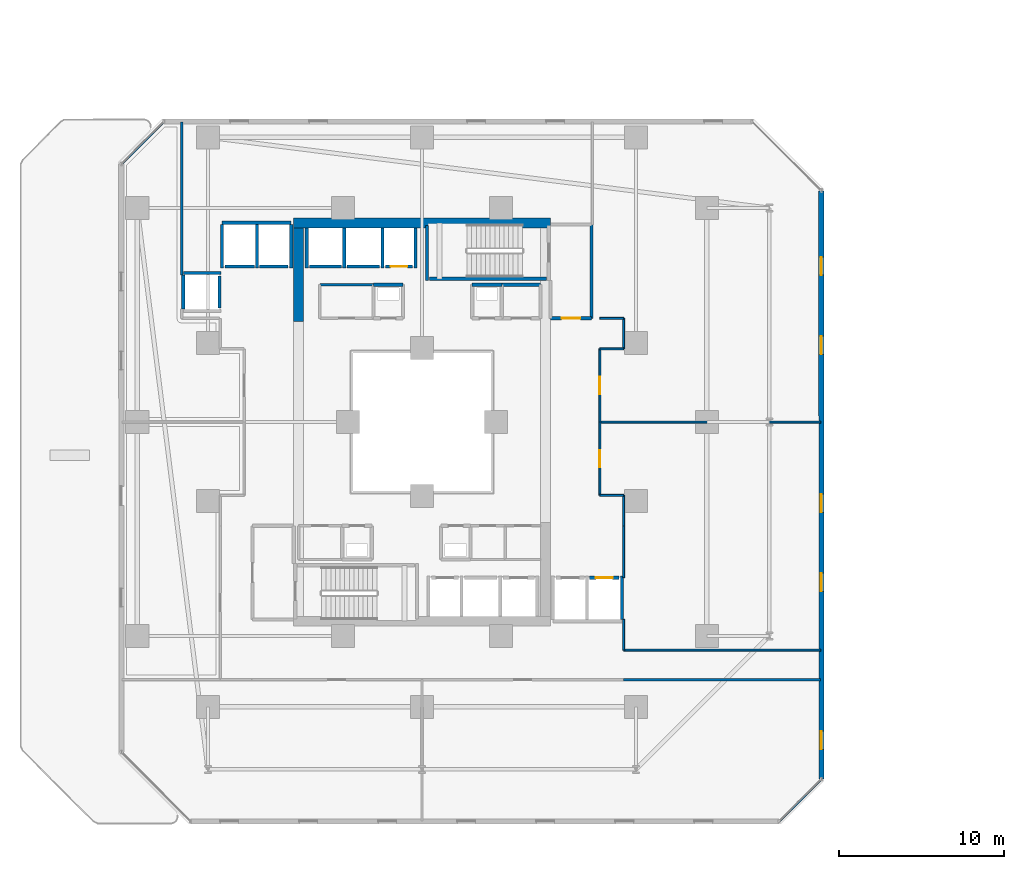
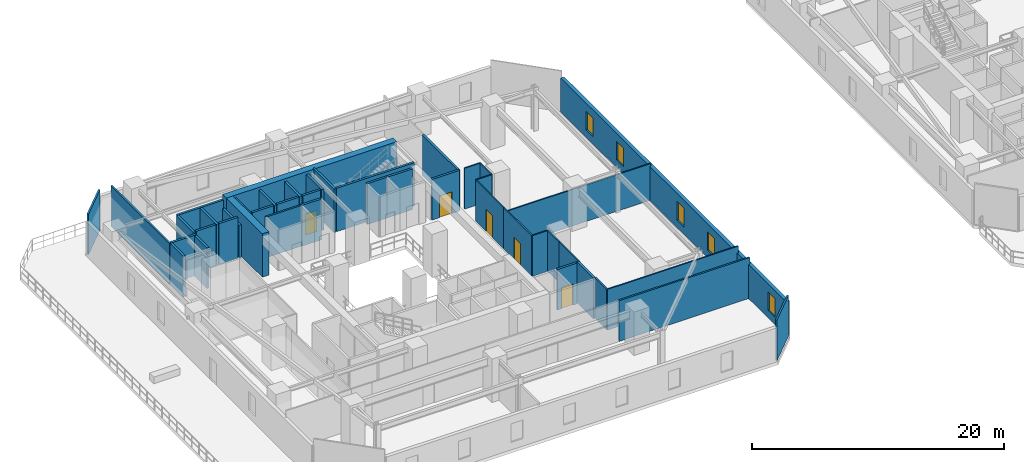
# One storey, part 21 of 33: 44 walls, 5 doors, 5 windows, 10 openings.
"""IFC4 building model written with IfcOpenShell, lengths in metres."""

from ifc_helpers import new_model, si_unit, direction, frame, frame_2d, origin, place, context, subcontext, project, spatial, rectangle, extrude, material, layer, layer_set, type_object, element, fill, save


model = new_model("IFC4")

# Units and contexts
model_context = context("Model", 3, precision=1e-05, world=origin(), true_north=direction((0.0, 1.0)))
body_context = subcontext(model_context, "Body", "Model", "MODEL_VIEW")
ifc_project = project(units=[si_unit("LENGTHUNIT", "METRE"), si_unit("AREAUNIT", "SQUARE_METRE"), si_unit("VOLUMEUNIT", "CUBIC_METRE"), si_unit("PLANEANGLEUNIT", "RADIAN"), si_unit("MASSUNIT", "GRAM", prefix="KILO")], contexts=[model_context])

# Site, building, storey
site_placement = place(None, origin())
site = spatial("IfcSite", under=ifc_project, at=site_placement, CompositionType="ELEMENT")
building_placement = place(site_placement, origin())
building = spatial("IfcBuilding", under=site, at=building_placement, Name="Thornwick Lancets Civic Towers", CompositionType="ELEMENT")
storey_placement = place(building_placement, frame((0.0, 0.0, 49.5)))
storey = spatial("IfcBuildingStorey", under=building, at=storey_placement, Name="L12", CompositionType="ELEMENT", Elevation=49.5)

# Wall, opening, door
ifc_material_1 = material(Name="Concrete blockwork C40/50", Category="masonry")
ifc_layer_1 = layer(ifc_material_1, 0.199951171875, Name="Concrete blockwork C40/50")
ifc_layer_set_1 = layer_set([ifc_layer_1], Name="Concrete blockwork C40/50")
wall_type_1 = type_object("IfcWallType", Name="WALL_COMP_200", PredefinedType="STANDARD", material=ifc_layer_set_1)
wall_1_placement = place(storey_placement, frame((35.679931640625, 17.550048828125, 0.0), z_axis=(0.0, 0.0, 1.0), x_axis=(1.0, 0.0, 0.0)))
wall_1 = element("IfcWall", 1, at=wall_1_placement, inside=storey, type_object=wall_type_1, Name="L12 Hoistway Front Wall PL-AL3", PredefinedType="STANDARD", context=body_context, shape_type="SweptSolid", body=[
    extrude(rectangle(XDim=1.7900390625, YDim=0.199951171875, at=frame_2d((0.89501953125, 0.0))), origin(), (0.0, 0.0, 1.0), 3.93994140625),
])
opening_1_placement = place(wall_1_placement, frame((0.385009765625, 0.0, 0.0)))
opening_1 = element("IfcOpeningElement", 2, at=opening_1_placement, cuts=wall_1, Name="Opening LD-PL-AL3", PredefinedType="OPENING", context=body_context, shape_type="SweptSolid", body=[
    extrude(rectangle(XDim=1.02001953125, YDim=2.06005859375, at=frame_2d((0.510009765625, 1.030029296875))), frame((0.0, 0.10986328125, 0.0), z_axis=(0.0, -1.0, 0.0), x_axis=(1.0, 0.0, 0.0)), (0.0, 0.0, 1.0), 0.219970703125),
])
ifc_material_2 = material(Name="Brushed bronze stainless steel", Category="steel")
door_type_1 = type_object("IfcDoorType", Name="DOOR_LIFT_SLIDE", OperationType="SLIDING_TO_LEFT", PredefinedType="DOOR", material=ifc_material_2)
door_1_placement = place(opening_1_placement, origin())
door_1 = element("IfcDoor", 3, at=door_1_placement, inside=storey, type_object=door_type_1, Name="L12 Sliding Lift Landing Door LD-PL-AL3", OperationType="SLIDING_TO_LEFT", OverallHeight=2.06005859375, OverallWidth=1.02001953125, PredefinedType="DOOR", context=body_context, shape_type="SweptSolid", body=[
    extrude(rectangle(XDim=1.02001953125, YDim=2.06005859375, at=frame_2d((0.510009765625, 1.030029296875))), frame((0.0, 0.02490234375, 0.0), z_axis=(0.0, -1.0, 0.0), x_axis=(1.0, 0.0, 0.0)), (0.0, 0.0, 1.0), 0.050048828125),
])
fill(opening_1, door_1)

wall_2_placement = place(storey_placement, frame((24.919921875, 36.449951171875, 0.0), z_axis=(0.0, 0.0, 1.0), x_axis=(-1.0, 0.0, 0.0)))
wall_2 = element("IfcWall", 4, at=wall_2_placement, inside=storey, type_object=wall_type_1, Name="L12 Hoistway Front Wall FL-A2", PredefinedType="STANDARD", context=body_context, shape_type="SweptSolid", body=[
    extrude(rectangle(XDim=1.639892578125, YDim=0.199951171875, at=frame_2d((0.81982421875, 0.0))), origin(), (0.0, 0.0, 1.0), 3.93994140625),
])
opening_2_placement = place(wall_2_placement, frame((0.31005859375, 0.0, 0.0)))
opening_2 = element("IfcOpeningElement", 5, at=opening_2_placement, cuts=wall_2, Name="Opening LD-FL-A2", PredefinedType="OPENING", context=body_context, shape_type="SweptSolid", body=[
    extrude(rectangle(XDim=1.02001953125, YDim=2.06005859375, at=frame_2d((0.510009765625, 1.030029296875))), frame((0.0, 0.10986328125, 0.0), z_axis=(0.0, -1.0, 0.0), x_axis=(1.0, 0.0, 0.0)), (0.0, 0.0, 1.0), 0.219970703125),
])
door_2_placement = place(opening_2_placement, origin())
door_2 = element("IfcDoor", 6, at=door_2_placement, inside=storey, type_object=door_type_1, Name="L12 Sliding Lift Landing Door LD-FL-A2", OperationType="SLIDING_TO_LEFT", OverallHeight=2.06005859375, OverallWidth=1.02001953125, PredefinedType="DOOR", context=body_context, shape_type="SweptSolid", body=[
    extrude(rectangle(XDim=1.02001953125, YDim=2.06005859375, at=frame_2d((0.510009765625, 1.030029296875))), frame((0.0, 0.02490234375, 0.0), z_axis=(0.0, -1.0, 0.0), x_axis=(1.0, 0.0, 0.0)), (0.0, 0.0, 1.0), 0.050048828125),
])
fill(opening_2, door_2)

# Walls
wall_3_placement = place(storey_placement, frame((22.919921875, 36.449951171875, 0.0), z_axis=(0.0, 0.0, 1.0), x_axis=(-1.0, 0.0, 0.0)))
element("IfcWall", 7, at=wall_3_placement, inside=storey, type_object=wall_type_1, Name="L12 Hoistway Front Wall PL-AH2", PredefinedType="STANDARD", context=body_context, shape_type="SweptSolid", body=[
    extrude(rectangle(XDim=1.989990234375, YDim=0.199951171875, at=frame_2d((0.9951171875, 0.0))), origin(), (0.0, 0.0, 1.0), 3.93994140625),
])
wall_4_placement = place(storey_placement, frame((20.6201171875, 36.449951171875, 0.0), z_axis=(0.0, 0.0, 1.0), x_axis=(-1.0, 0.0, 0.0)))
element("IfcWall", 8, at=wall_4_placement, inside=storey, type_object=wall_type_1, Name="L12 Hoistway Front Wall PL-AH3", PredefinedType="STANDARD", context=body_context, shape_type="SweptSolid", body=[
    extrude(rectangle(XDim=1.940185546875, YDim=0.199951171875, at=frame_2d((0.97021484375, 0.0))), origin(), (0.0, 0.0, 1.0), 3.93994140625),
])
wall_5_placement = place(storey_placement, frame((17.3701171875, 36.449951171875, 0.0), z_axis=(0.0, 0.0, 1.0), x_axis=(-1.0, 0.0, 0.0)))
element("IfcWall", 9, at=wall_5_placement, inside=storey, type_object=wall_type_1, Name="L12 Hoistway Front Wall PL-AM1", PredefinedType="STANDARD", context=body_context, shape_type="SweptSolid", body=[
    extrude(rectangle(XDim=1.740234375, YDim=0.199951171875, at=frame_2d((0.8701171875, 0.0))), origin(), (0.0, 0.0, 1.0), 3.93994140625),
])
wall_6_placement = place(storey_placement, frame((15.320068359375, 36.449951171875, 0.0), z_axis=(0.0, 0.0, 1.0), x_axis=(-1.0, 0.0, 0.0)))
element("IfcWall", 10, at=wall_6_placement, inside=storey, type_object=wall_type_1, Name="L12 Hoistway Front Wall PL-AM2", PredefinedType="STANDARD", context=body_context, shape_type="SweptSolid", body=[
    extrude(rectangle(XDim=1.7900390625, YDim=0.199951171875, at=frame_2d((0.89501953125, 0.0))), origin(), (0.0, 0.0, 1.0), 3.93994140625),
])
wall_7_placement = place(storey_placement, frame((13.199951171875, 33.929931640625, 0.0), z_axis=(0.0, 0.0, 1.0), x_axis=(0.0, 1.0, 0.0)))
element("IfcWall", 11, at=wall_7_placement, inside=storey, type_object=wall_type_1, Name="L12 Hoistway Front Wall PL-AM3", PredefinedType="STANDARD", context=body_context, shape_type="SweptSolid", body=[
    extrude(rectangle(XDim=1.940185546875, YDim=0.199951171875, at=frame_2d((0.97021484375, 0.0))), origin(), (0.0, 0.0, 1.0), 3.93994140625),
])
wall_8_placement = place(storey_placement, frame((37.64990234375, 15.011962890625, 0.0), z_axis=(0.0, 0.0, 1.0), x_axis=(0.0, 1.0, 0.0)))
element("IfcWall", 12, at=wall_8_placement, inside=storey, type_object=wall_type_1, Name="L12 Hoistway Shaft Wall PL-AL3 E", PredefinedType="STANDARD", context=body_context, shape_type="SweptSolid", body=[
    extrude(rectangle(XDim=2.635986328125, YDim=0.199951171875, at=frame_2d((1.31787109375, 0.0))), origin(), (0.0, 0.0, 1.0), 3.93994140625),
])
for number, where, z_axis, x_axis, name in (
    (13, (25.10009765625, 36.35205078125, 0.0), (0.0, 0.0, 1.0), (0.0, 1.0, 0.0), "L12 Hoistway Shaft Wall FL-A2 E"),
    (14, (23.10009765625, 36.35205078125, 0.0), (0.0, 0.0, 1.0), (0.0, 1.0, 0.0), "L12 Hoistway Shaft Wall FL-A2 W"),
    (15, (20.77490234375, 36.35205078125, 0.0), (0.0, 0.0, 1.0), (0.0, 1.0, 0.0), "L12 Hoistway Shaft Wall PL-AH2 W"),
    (16, (18.5, 36.35205078125, 0.0), (0.0, 0.0, 1.0), (0.0, 1.0, 0.0), "L12 Hoistway Shaft Wall PL-AH3 W"),
):
    element("IfcWall", number, at=place(storey_placement, frame(where, z_axis=z_axis, x_axis=x_axis)), inside=storey, type_object=wall_type_1, Name=name, PredefinedType="STANDARD", context=body_context, shape_type="SweptSolid", body=[
        extrude(rectangle(XDim=2.43603515625, YDim=0.199951171875, at=frame_2d((1.218017578125, 0.0))), origin(), (0.0, 0.0, 1.0), 3.93994140625),
    ])
wall_9_placement = place(storey_placement, frame((13.35205078125, 39.10009765625, 0.0), z_axis=(0.0, 0.0, 1.0), x_axis=(1.0, 0.0, 0.0)))
element("IfcWall", 17, at=wall_9_placement, inside=storey, type_object=wall_type_1, Name="L12 Hoistway Shaft Wall PL-AM1 N", PredefinedType="STANDARD", context=body_context, shape_type="SweptSolid", body=[
    extrude(rectangle(XDim=4.196044921875, YDim=0.199951171875, at=frame_2d((2.09814453125, 0.0))), origin(), (0.0, 0.0, 1.0), 3.93994140625),
])
wall_10_placement = place(storey_placement, frame((17.550048828125, 36.35205078125, 0.0), z_axis=(0.0, 0.0, 1.0), x_axis=(0.0, 1.0, 0.0)))
element("IfcWall", 18, at=wall_10_placement, inside=storey, type_object=wall_type_1, Name="L12 Hoistway Shaft Wall PL-AM1 E", PredefinedType="STANDARD", context=body_context, shape_type="SweptSolid", body=[
    extrude(rectangle(XDim=2.635986328125, YDim=0.199951171875, at=frame_2d((1.31787109375, 0.0))), origin(), (0.0, 0.0, 1.0), 3.14501953125),
])
for number, where, z_axis, x_axis, name in (
    (19, (15.47509765625, 36.35205078125, 0.0), (0.0, 0.0, 1.0), (0.0, 1.0, 0.0), "L12 Hoistway Shaft Wall PL-AM1 W"),
    (20, (13.35009765625, 36.35205078125, 0.0), (0.0, 0.0, 1.0), (0.0, 1.0, 0.0), "L12 Hoistway Shaft Wall PL-AM2 W"),
):
    element("IfcWall", number, at=place(storey_placement, frame(where, z_axis=z_axis, x_axis=x_axis)), inside=storey, type_object=wall_type_1, Name=name, PredefinedType="STANDARD", context=body_context, shape_type="SweptSolid", body=[
        extrude(rectangle(XDim=2.635986328125, YDim=0.199951171875, at=frame_2d((1.31787109375, 0.0))), origin(), (0.0, 0.0, 1.0), 3.93994140625),
    ])
wall_11_placement = place(storey_placement, frame((11.001953125, 36.050048828125, 0.0), z_axis=(0.0, 0.0, 1.0), x_axis=(1.0, 0.0, 0.0)))
element("IfcWall", 21, at=wall_11_placement, inside=storey, type_object=wall_type_1, Name="L12 Hoistway Shaft Wall PL-AM3 N", PredefinedType="STANDARD", context=body_context, shape_type="SweptSolid", body=[
    extrude(rectangle(XDim=2.296142578125, YDim=0.199951171875, at=frame_2d((1.14794921875, 0.0))), origin(), (0.0, 0.0, 1.0), 3.93994140625),
])
wall_12_placement = place(storey_placement, frame((11.0, 33.862060546875, 0.0), z_axis=(0.0, 0.0, 1.0), x_axis=(0.0, 1.0, 0.0)))
element("IfcWall", 22, at=wall_12_placement, inside=storey, type_object=wall_type_1, Name="L12 Hoistway Shaft Wall PL-AM3 W", PredefinedType="STANDARD", context=body_context, shape_type="SweptSolid", body=[
    extrude(rectangle(XDim=2.075927734375, YDim=0.199951171875, at=frame_2d((1.0380859375, 0.0))), origin(), (0.0, 0.0, 1.0), 3.93994140625),
])

# Wall, opening, door
wall_13_placement = place(storey_placement, frame((33.300048828125, 33.300048828125, 0.0), z_axis=(0.0, 0.0, 1.0), x_axis=(1.0, 0.0, 0.0)))
wall_13 = element("IfcWall", 23, at=wall_13_placement, inside=storey, type_object=wall_type_1, Name="L12 Partition L12-A-FFLOB2 E1", PredefinedType="STANDARD", context=body_context, shape_type="SweptSolid", body=[
    extrude(rectangle(XDim=2.5, YDim=0.199951171875, at=frame_2d((1.25, 0.0))), origin(), (0.0, 0.0, 1.0), 3.93994140625),
])
opening_3_placement = place(wall_13_placement, frame((0.675048828125, 0.0, 0.0)))
opening_3 = element("IfcOpeningElement", 24, at=opening_3_placement, cuts=wall_13, Name="Opening D-L12-0588", PredefinedType="OPENING", context=body_context, shape_type="SweptSolid", body=[
    extrude(rectangle(XDim=1.14990234375, YDim=2.10009765625, at=frame_2d((0.574951171875, 1.050048828125))), frame((0.0, 0.10986328125, 0.0), z_axis=(0.0, -1.0, 0.0), x_axis=(1.0, 0.0, 0.0)), (0.0, 0.0, 1.0), 0.219970703125),
])
ifc_material_3 = material(Name="Glazed fire-resisting steel", Category="steel")
door_type_2 = type_object("IfcDoorType", Name="DOOR_LOBBY_FD60", OperationType="NOTDEFINED", PredefinedType="DOOR", material=ifc_material_3)
door_3_placement = place(opening_3_placement, origin())
door_3 = element("IfcDoor", 25, at=door_3_placement, inside=storey, type_object=door_type_2, Name="L12 North Firefighting Lobby 2 Door", OperationType="SINGLE_SWING_LEFT", OverallHeight=2.10009765625, OverallWidth=1.14990234375, PredefinedType="DOOR", context=body_context, shape_type="SweptSolid", body=[
    extrude(rectangle(XDim=1.14990234375, YDim=2.10009765625, at=frame_2d((0.574951171875, 1.050048828125))), frame((0.0, 0.02490234375, 0.0), z_axis=(0.0, -1.0, 0.0), x_axis=(1.0, 0.0, 0.0)), (0.0, 0.0, 1.0), 0.050048828125),
])
fill(opening_3, door_3)

# Walls
wall_14_placement = place(storey_placement, frame((35.800048828125, 33.300048828125, 0.0), z_axis=(0.0, 0.0, 1.0), x_axis=(0.0, 1.0, 0.0)))
element("IfcWall", 26, at=wall_14_placement, inside=storey, type_object=wall_type_1, Name="L12 Partition L12-A-FFLOB2 E2", PredefinedType="STANDARD", context=body_context, shape_type="SweptSolid", body=[
    extrude(rectangle(XDim=5.699951171875, YDim=0.199951171875, at=frame_2d((2.85009765625, 0.0))), origin(), (0.0, 0.0, 1.0), 3.93994140625),
])
for number, where, z_axis, x_axis, name in (
    (27, (24.35009765625, 35.35009765625, 0.0), (0.0, 0.0, 1.0), (-1.0, 0.0, 0.0), "L12 Partition L12-A-DUCT2 E3"),
    (28, (30.35009765625, 35.35009765625, 0.0), (0.0, 0.0, 1.0), (-1.0, 0.0, 0.0), "L12 Partition L12-A-RISER2 E3"),
):
    element("IfcWall", number, at=place(storey_placement, frame(where, z_axis=z_axis, x_axis=x_axis)), inside=storey, type_object=wall_type_1, Name=name, PredefinedType="STANDARD", context=body_context, shape_type="SweptSolid", body=[
        extrude(rectangle(XDim=1.800048828125, YDim=0.199951171875, at=frame_2d((0.89990234375, 0.0))), origin(), (0.0, 0.0, 1.0), 3.93994140625),
    ])
wall_15_placement = place(storey_placement, frame((30.35009765625, 35.35009765625, 0.0), z_axis=(0.0, 0.0, 1.0), x_axis=(1.0, 0.0, 0.0)))
element("IfcWall", 29, at=wall_15_placement, inside=storey, type_object=wall_type_1, Name="L12 Partition L12-A-STR E4", PredefinedType="STANDARD", context=body_context, shape_type="SweptSolid", body=[
    extrude(rectangle(XDim=2.349853515625, YDim=0.199951171875, at=frame_2d((1.1748046875, 0.0))), origin(), (0.0, 0.0, 1.0), 3.93994140625),
])
ifc_material_4 = material(Name="Concrete C60/75", Category="concrete")
ifc_layer_2 = layer(ifc_material_4, 0.60009765625, Name="Concrete C60/75")
ifc_layer_set_2 = layer_set([ifc_layer_2], Name="Concrete C60/75")
wall_type_2 = type_object("IfcWallType", Name="WALL_CORE_600", PredefinedType="SHEAR", material=ifc_layer_set_2)
wall_16_placement = place(storey_placement, frame((17.699951171875, 39.10009765625, 0.0), z_axis=(0.0, 0.0, 1.0), x_axis=(1.0, 0.0, 0.0)))
element("IfcWall", 30, at=wall_16_placement, inside=storey, type_object=wall_type_2, Name="L12 Split Core A2 Shear Wall N", PredefinedType="SHEAR", context=body_context, shape_type="SweptSolid", body=[
    extrude(rectangle(XDim=15.60009765625, YDim=0.60009765625, at=frame_2d((7.800048828125, 0.0))), origin(), (0.0, 0.0, 1.0), 4.199951171875),
])
wall_17_placement = place(storey_placement, frame((18.0, 33.10009765625, 0.0), z_axis=(0.0, 0.0, 1.0), x_axis=(0.0, 1.0, 0.0)))
element("IfcWall", 31, at=wall_17_placement, inside=storey, type_object=wall_type_2, Name="L12 Split Core A2 Shear Wall W", PredefinedType="SHEAR", context=body_context, shape_type="SweptSolid", body=[
    extrude(rectangle(XDim=5.699951171875, YDim=0.60009765625, at=frame_2d((2.85009765625, 0.0))), origin(), (0.0, 0.0, 1.0), 4.199951171875),
])

# Wall, openings, windows
ifc_material_5 = material(Name="Insulated buff terracotta rainscreen on concrete C40/50", Category="masonry")
ifc_layer_3 = layer(ifc_material_5, 0.320068359375, Name="Insulated buff terracotta rainscreen on concrete C40/50")
ifc_layer_set_3 = layer_set([ifc_layer_3], Name="Insulated buff terracotta rainscreen on concrete C40/50")
wall_type_3 = type_object("IfcWallType", Name="WALL_EXT_TERRA_320", PredefinedType="STANDARD", material=ifc_layer_set_3)
wall_18_placement = place(storey_placement, frame((49.764892578125, 5.31884765625, 0.0), z_axis=(0.0, 0.0, 1.0), x_axis=(-0.000150313265, 0.999999988703, 0.0)))
wall_18 = element("IfcWall", 32, at=wall_18_placement, inside=storey, type_object=wall_type_3, Name="L12 Tower A Terracotta Facade Wall E2", PredefinedType="STANDARD", context=body_context, shape_type="SweptSolid", body=[
    extrude(rectangle(XDim=35.732666015625, YDim=0.320068359375, at=frame_2d((17.8662109375, 0.0))), origin(), (0.0, 0.0, 1.0), 3.300048828125),
])
opening_4_placement = place(wall_18_placement, frame((1.800048828125, 0.0, 0.719970703125)))
opening_4 = element("IfcOpeningElement", 33, at=opening_4_placement, cuts=wall_18, Name="Opening WL-02", PredefinedType="OPENING", context=body_context, shape_type="SweptSolid", body=[
    extrude(rectangle(XDim=1.10009765625, YDim=1.800048828125, at=frame_2d((0.550048828125, 0.89990234375))), frame((0.0, 0.169921875, 0.0), z_axis=(0.0, -1.0, 0.0), x_axis=(1.0, 0.0, 0.0)), (0.0, 0.0, 1.0), 0.340087890625),
])
opening_5_placement = place(wall_18_placement, frame((11.39990234375, 0.0, 0.719970703125)))
opening_5 = element("IfcOpeningElement", 34, at=opening_5_placement, cuts=wall_18, Name="Opening WL-02", PredefinedType="OPENING", context=body_context, shape_type="SweptSolid", body=[
    extrude(rectangle(XDim=1.10009765625, YDim=1.800048828125, at=frame_2d((0.550048828125, 0.89990234375))), frame((0.0, 0.169921875, 0.0), z_axis=(0.0, -1.0, 0.0), x_axis=(1.0, 0.0, 0.0)), (0.0, 0.0, 1.0), 0.340087890625),
])
opening_6_placement = place(wall_18_placement, frame((16.199951171875, 0.0, 0.719970703125)))
opening_6 = element("IfcOpeningElement", 35, at=opening_6_placement, cuts=wall_18, Name="Opening WL-02", PredefinedType="OPENING", context=body_context, shape_type="SweptSolid", body=[
    extrude(rectangle(XDim=1.10009765625, YDim=1.800048828125, at=frame_2d((0.550048828125, 0.89990234375))), frame((0.0, 0.169921875, 0.0), z_axis=(0.0, -1.0, 0.0), x_axis=(1.0, 0.0, 0.0)), (0.0, 0.0, 1.0), 0.340087890625),
])
opening_7_placement = place(wall_18_placement, frame((25.800048828125, 0.0, 0.719970703125)))
opening_7 = element("IfcOpeningElement", 36, at=opening_7_placement, cuts=wall_18, Name="Opening WL-02", PredefinedType="OPENING", context=body_context, shape_type="SweptSolid", body=[
    extrude(rectangle(XDim=1.10009765625, YDim=1.800048828125, at=frame_2d((0.550048828125, 0.89990234375))), frame((0.0, 0.169921875, 0.0), z_axis=(0.0, -1.0, 0.0), x_axis=(1.0, 0.0, 0.0)), (0.0, 0.0, 1.0), 0.340087890625),
])
opening_8_placement = place(wall_18_placement, frame((30.60009765625, 0.0, 0.719970703125)))
opening_8 = element("IfcOpeningElement", 37, at=opening_8_placement, cuts=wall_18, Name="Opening WL-02", PredefinedType="OPENING", context=body_context, shape_type="SweptSolid", body=[
    extrude(rectangle(XDim=1.10009765625, YDim=1.800048828125, at=frame_2d((0.550048828125, 0.89990234375))), frame((0.0, 0.169921875, 0.0), z_axis=(0.0, -1.0, 0.0), x_axis=(1.0, 0.0, 0.0)), (0.0, 0.0, 1.0), 0.340087890625),
])
ifc_material_6 = material(Name="Clear low-e double glazing in bronze frame", Category="glass")
window_type = type_object("IfcWindowType", Name="WIN_LANCET_1100", PartitioningType="SINGLE_PANEL", PredefinedType="WINDOW", material=ifc_material_6)
window_1_placement = place(opening_4_placement, origin())
window_1 = element("IfcWindow", 38, at=window_1_placement, inside=storey, type_object=window_type, Name="L12 Tower A Staggered Lancet Window E2-1", OverallHeight=1.800048828125, OverallWidth=1.10009765625, PartitioningType="SINGLE_PANEL", PredefinedType="WINDOW", context=body_context, shape_type="SweptSolid", body=[
    extrude(rectangle(XDim=1.10009765625, YDim=1.800048828125, at=frame_2d((0.550048828125, 0.89990234375))), frame((0.0, 0.030029296875, 0.0), z_axis=(0.0, -1.0, 0.0), x_axis=(1.0, 0.0, 0.0)), (0.0, 0.0, 1.0), 0.06005859375),
])
fill(opening_4, window_1)
window_2_placement = place(opening_5_placement, origin())
window_2 = element("IfcWindow", 39, at=window_2_placement, inside=storey, type_object=window_type, Name="L12 Tower A Staggered Lancet Window E2-2", OverallHeight=1.800048828125, OverallWidth=1.10009765625, PartitioningType="SINGLE_PANEL", PredefinedType="WINDOW", context=body_context, shape_type="SweptSolid", body=[
    extrude(rectangle(XDim=1.10009765625, YDim=1.800048828125, at=frame_2d((0.550048828125, 0.89990234375))), frame((0.0, 0.030029296875, 0.0), z_axis=(0.0, -1.0, 0.0), x_axis=(1.0, 0.0, 0.0)), (0.0, 0.0, 1.0), 0.06005859375),
])
fill(opening_5, window_2)
window_3_placement = place(opening_6_placement, origin())
window_3 = element("IfcWindow", 40, at=window_3_placement, inside=storey, type_object=window_type, Name="L12 Tower A Staggered Lancet Window E2-3", OverallHeight=1.800048828125, OverallWidth=1.10009765625, PartitioningType="SINGLE_PANEL", PredefinedType="WINDOW", context=body_context, shape_type="SweptSolid", body=[
    extrude(rectangle(XDim=1.10009765625, YDim=1.800048828125, at=frame_2d((0.550048828125, 0.89990234375))), frame((0.0, 0.030029296875, 0.0), z_axis=(0.0, -1.0, 0.0), x_axis=(1.0, 0.0, 0.0)), (0.0, 0.0, 1.0), 0.06005859375),
])
fill(opening_6, window_3)
window_4_placement = place(opening_7_placement, origin())
window_4 = element("IfcWindow", 41, at=window_4_placement, inside=storey, type_object=window_type, Name="L12 Tower A Staggered Lancet Window E2-4", OverallHeight=1.800048828125, OverallWidth=1.10009765625, PartitioningType="SINGLE_PANEL", PredefinedType="WINDOW", context=body_context, shape_type="SweptSolid", body=[
    extrude(rectangle(XDim=1.10009765625, YDim=1.800048828125, at=frame_2d((0.550048828125, 0.89990234375))), frame((0.0, 0.030029296875, 0.0), z_axis=(0.0, -1.0, 0.0), x_axis=(1.0, 0.0, 0.0)), (0.0, 0.0, 1.0), 0.06005859375),
])
fill(opening_7, window_4)
window_5_placement = place(opening_8_placement, origin())
window_5 = element("IfcWindow", 42, at=window_5_placement, inside=storey, type_object=window_type, Name="L12 Tower A Staggered Lancet Window E2-5", OverallHeight=1.800048828125, OverallWidth=1.10009765625, PartitioningType="SINGLE_PANEL", PredefinedType="WINDOW", context=body_context, shape_type="SweptSolid", body=[
    extrude(rectangle(XDim=1.10009765625, YDim=1.800048828125, at=frame_2d((0.550048828125, 0.89990234375))), frame((0.0, 0.030029296875, 0.0), z_axis=(0.0, -1.0, 0.0), x_axis=(1.0, 0.0, 0.0)), (0.0, 0.0, 1.0), 0.06005859375),
])
fill(opening_8, window_5)

# Walls
ifc_material_7 = material(Name="Acoustic gypsum board partition")
ifc_layer_4 = layer(ifc_material_7, 0.1201171875, Name="Acoustic gypsum board partition")
ifc_layer_set_4 = layer_set([ifc_layer_4], Name="Acoustic gypsum board partition")
wall_type_4 = type_object("IfcWallType", Name="WALL_PART_120", PredefinedType="PARTITIONING", material=ifc_layer_set_4)
wall_19_placement = place(storey_placement, frame((37.75, 17.550048828125, 0.0), z_axis=(0.0, 0.0, 1.0), x_axis=(0.0, 1.0, 0.0)))
element("IfcWall", 43, at=wall_19_placement, inside=storey, type_object=wall_type_4, Name="L12 Partition L12-A-E1 E1", PredefinedType="PARTITIONING", context=body_context, shape_type="SweptSolid", body=[
    extrude(rectangle(XDim=3.14990234375, YDim=0.1201171875, at=frame_2d((1.574951171875, 0.0))), origin(), (0.0, 0.0, 1.0), 3.93994140625),
])
wall_20_placement = place(storey_placement, frame((37.75, 20.699951171875, 0.0), z_axis=(0.0, 0.0, 1.0), x_axis=(0.0, 1.0, 0.0)))
element("IfcWall", 44, at=wall_20_placement, inside=storey, type_object=wall_type_4, Name="L12 Partition L12-A-E1 E2", PredefinedType="PARTITIONING", context=body_context, shape_type="SweptSolid", body=[
    extrude(rectangle(XDim=1.85009765625, YDim=0.1201171875, at=frame_2d((0.925048828125, 0.0))), origin(), (0.0, 0.0, 1.0), 3.93994140625),
])
wall_21_placement = place(storey_placement, frame((37.75, 22.550048828125, 0.0), z_axis=(0.0, 0.0, 1.0), x_axis=(-1.0, 0.0, 0.0)))
element("IfcWall", 45, at=wall_21_placement, inside=storey, type_object=wall_type_4, Name="L12 Partition L12-A-E1 E3", PredefinedType="PARTITIONING", context=body_context, shape_type="SweptSolid", body=[
    extrude(rectangle(XDim=1.449951171875, YDim=0.1201171875, at=frame_2d((0.72509765625, 0.0))), origin(), (0.0, 0.0, 1.0), 3.93994140625),
])

# Wall, opening, door
wall_22_placement = place(storey_placement, frame((36.300048828125, 22.550048828125, 0.0), z_axis=(0.0, 0.0, 1.0), x_axis=(0.0, 1.0, 0.0)))
wall_22 = element("IfcWall", 46, at=wall_22_placement, inside=storey, type_object=wall_type_4, Name="L12 Partition L12-A-E1 E4", PredefinedType="PARTITIONING", context=body_context, shape_type="SweptSolid", body=[
    extrude(rectangle(XDim=4.449951171875, YDim=0.1201171875, at=frame_2d((2.22509765625, 0.0))), origin(), (0.0, 0.0, 1.0), 3.93994140625),
])
opening_9_placement = place(wall_22_placement, frame((1.699951171875, 0.0, 0.0)))
opening_9 = element("IfcOpeningElement", 47, at=opening_9_placement, cuts=wall_22, Name="Opening D-L12-0611", PredefinedType="OPENING", context=body_context, shape_type="SweptSolid", body=[
    extrude(rectangle(XDim=1.050048828125, YDim=2.10009765625, at=frame_2d((0.52490234375, 1.050048828125))), frame((0.0, 0.070068359375, 0.0), z_axis=(0.0, -1.0, 0.0), x_axis=(1.0, 0.0, 0.0)), (0.0, 0.0, 1.0), 0.14013671875),
])
ifc_material_8 = material(Name="Glazed European oak executive doorset")
door_type_3 = type_object("IfcDoorType", Name="DOOR_OFFICE_1050", OperationType="NOTDEFINED", PredefinedType="DOOR", material=ifc_material_8)
door_4_placement = place(opening_9_placement, origin())
door_4 = element("IfcDoor", 48, at=door_4_placement, inside=storey, type_object=door_type_3, Name="L12 Tower A Secretariat Open Office E1 Door", OperationType="SINGLE_SWING_RIGHT", OverallHeight=2.10009765625, OverallWidth=1.050048828125, PredefinedType="DOOR", context=body_context, shape_type="SweptSolid", body=[
    extrude(rectangle(XDim=1.050048828125, YDim=2.10009765625, at=frame_2d((0.52490234375, 1.050048828125))), frame((0.0, 0.02490234375, 0.0), z_axis=(0.0, -1.0, 0.0), x_axis=(1.0, 0.0, 0.0)), (0.0, 0.0, 1.0), 0.050048828125),
])
fill(opening_9, door_4)

# Walls
wall_23_placement = place(storey_placement, frame((36.300048828125, 27.0, 0.0), z_axis=(0.0, 0.0, 1.0), x_axis=(1.0, 0.0, 0.0)))
element("IfcWall", 49, at=wall_23_placement, inside=storey, type_object=wall_type_4, Name="L12 Partition L12-A-E1 E5", PredefinedType="PARTITIONING", context=body_context, shape_type="SweptSolid", body=[
    extrude(rectangle(XDim=13.419921875, YDim=0.1201171875, at=frame_2d((6.7099609375, 0.0))), origin(), (0.0, 0.0, 1.0), 3.5322265625),
])
wall_24_placement = place(storey_placement, frame((49.719970703125, 13.14990234375, 0.0), z_axis=(0.0, 0.0, 1.0), x_axis=(-1.0, 0.0, 0.0)))
element("IfcWall", 50, at=wall_24_placement, inside=storey, type_object=wall_type_4, Name="L12 Partition L12-A-E1 E7", PredefinedType="PARTITIONING", context=body_context, shape_type="SweptSolid", body=[
    extrude(rectangle(XDim=11.969970703125, YDim=0.1201171875, at=frame_2d((5.98486328125, 0.0))), origin(), (0.0, 0.0, 1.0), 3.93994140625),
])
wall_25_placement = place(storey_placement, frame((37.75, 13.14990234375, 0.0), z_axis=(0.0, 0.0, 1.0), x_axis=(0.0, 1.0, 0.0)))
element("IfcWall", 51, at=wall_25_placement, inside=storey, type_object=wall_type_4, Name="L12 Partition L12-A-E1 E8", PredefinedType="PARTITIONING", context=body_context, shape_type="SweptSolid", body=[
    extrude(rectangle(XDim=1.862060546875, YDim=0.1201171875, at=frame_2d((0.93115234375, 0.0))), origin(), (0.0, 0.0, 1.0), 3.93994140625),
])
wall_26_placement = place(storey_placement, frame((36.300048828125, 31.449951171875, 0.0), z_axis=(0.0, 0.0, 1.0), x_axis=(1.0, 0.0, 0.0)))
element("IfcWall", 52, at=wall_26_placement, inside=storey, type_object=wall_type_4, Name="L12 Partition L12-A-E2 E1", PredefinedType="PARTITIONING", context=body_context, shape_type="SweptSolid", body=[
    extrude(rectangle(XDim=1.449951171875, YDim=0.1201171875, at=frame_2d((0.72509765625, 0.0))), origin(), (0.0, 0.0, 1.0), 3.93994140625),
])
wall_27_placement = place(storey_placement, frame((37.75, 31.449951171875, 0.0), z_axis=(0.0, 0.0, 1.0), x_axis=(0.0, 1.0, 0.0)))
element("IfcWall", 53, at=wall_27_placement, inside=storey, type_object=wall_type_4, Name="L12 Partition L12-A-E2 E2", PredefinedType="PARTITIONING", context=body_context, shape_type="SweptSolid", body=[
    extrude(rectangle(XDim=1.85009765625, YDim=0.1201171875, at=frame_2d((0.925048828125, 0.0))), origin(), (0.0, 0.0, 1.0), 3.93994140625),
])
wall_28_placement = place(storey_placement, frame((37.75, 33.300048828125, 0.0), z_axis=(0.0, 0.0, 1.0), x_axis=(-1.0, 0.0, 0.0)))
element("IfcWall", 54, at=wall_28_placement, inside=storey, type_object=wall_type_4, Name="L12 Partition L12-A-E2 E3", PredefinedType="PARTITIONING", context=body_context, shape_type="SweptSolid", body=[
    extrude(rectangle(XDim=1.449951171875, YDim=0.1201171875, at=frame_2d((0.72509765625, 0.0))), origin(), (0.0, 0.0, 1.0), 3.93994140625),
])

# Wall, opening, door
wall_29_placement = place(storey_placement, frame((36.300048828125, 27.0, 0.0), z_axis=(0.0, 0.0, 1.0), x_axis=(0.0, 1.0, 0.0)))
wall_29 = element("IfcWall", 55, at=wall_29_placement, inside=storey, type_object=wall_type_4, Name="L12 Partition L12-A-E2 E10", PredefinedType="PARTITIONING", context=body_context, shape_type="SweptSolid", body=[
    extrude(rectangle(XDim=4.449951171875, YDim=0.1201171875, at=frame_2d((2.22509765625, 0.0))), origin(), (0.0, 0.0, 1.0), 3.93994140625),
])
opening_10_placement = place(wall_29_placement, frame((1.699951171875, 0.0, 0.0)))
opening_10 = element("IfcOpeningElement", 56, at=opening_10_placement, cuts=wall_29, Name="Opening D-L12-0612", PredefinedType="OPENING", context=body_context, shape_type="SweptSolid", body=[
    extrude(rectangle(XDim=1.050048828125, YDim=2.10009765625, at=frame_2d((0.52490234375, 1.050048828125))), frame((0.0, 0.070068359375, 0.0), z_axis=(0.0, -1.0, 0.0), x_axis=(1.0, 0.0, 0.0)), (0.0, 0.0, 1.0), 0.14013671875),
])
door_5_placement = place(opening_10_placement, origin())
door_5 = element("IfcDoor", 57, at=door_5_placement, inside=storey, type_object=door_type_3, Name="L12 Tower A Visitors Reception and Waiting Door", OperationType="SINGLE_SWING_LEFT", OverallHeight=2.10009765625, OverallWidth=1.050048828125, PredefinedType="DOOR", context=body_context, shape_type="SweptSolid", body=[
    extrude(rectangle(XDim=1.050048828125, YDim=2.10009765625, at=frame_2d((0.52490234375, 1.050048828125))), frame((0.0, 0.02490234375, 0.0), z_axis=(0.0, -1.0, 0.0), x_axis=(1.0, 0.0, 0.0)), (0.0, 0.0, 1.0), 0.050048828125),
])
fill(opening_10, door_5)

# Walls
ifc_material_9 = material(Name="Twin-stud acoustic gypsum board")
ifc_layer_5 = layer(ifc_material_9, 0.14990234375, Name="Twin-stud acoustic gypsum board")
ifc_layer_set_5 = layer_set([ifc_layer_5], Name="Twin-stud acoustic gypsum board")
wall_type_5 = type_object("IfcWallType", Name="WALL_PART_150", PredefinedType="PARTITIONING", material=ifc_layer_set_5)
wall_30_placement = place(storey_placement, frame((19.300048828125, 35.35009765625, 0.0), z_axis=(0.0, 0.0, 1.0), x_axis=(1.0, 0.0, 0.0)))
element("IfcWall", 58, at=wall_30_placement, inside=storey, type_object=wall_type_5, Name="L12 Partition L12-A-FWC E2", PredefinedType="PARTITIONING", context=body_context, shape_type="SweptSolid", body=[
    extrude(rectangle(XDim=3.25, YDim=0.14990234375, at=frame_2d((1.625, 0.0))), origin(), (0.0, 0.0, 1.0), 3.93994140625),
])
wall_31_placement = place(storey_placement, frame((7.280029296875, 42.725341796875, 0.0), z_axis=(0.0, 0.0, 1.0), x_axis=(0.707106781187, 0.707106781187, 0.0)))
element("IfcWall", 59, at=wall_31_placement, inside=storey, type_object=wall_type_5, Name="L12 Partition L12-A-W2 E7", PredefinedType="PARTITIONING", context=body_context, shape_type="SweptSolid", body=[
    extrude(rectangle(XDim=3.52783203125, YDim=0.14990234375, at=frame_2d((1.763916015625, 0.0))), origin(), (0.0, 0.0, 1.0), 3.93994140625),
])
wall_32_placement = place(storey_placement, frame((10.89990234375, 45.219970703125, 0.0), z_axis=(0.0, 0.0, 1.0), x_axis=(0.0, -1.0, 0.0)))
element("IfcWall", 60, at=wall_32_placement, inside=storey, type_object=wall_type_5, Name="L12 Partition L12-A-W2 E9", PredefinedType="PARTITIONING", context=body_context, shape_type="SweptSolid", body=[
    extrude(rectangle(XDim=9.281982421875, YDim=0.14990234375, at=frame_2d((4.64111328125, 0.0))), origin(), (0.0, 0.0, 1.0), 3.93994140625),
])
wall_33_placement = place(storey_placement, frame((37.75, 11.35009765625, 0.0), z_axis=(0.0, 0.0, 1.0), x_axis=(1.0, 0.0, 0.0)))
element("IfcWall", 61, at=wall_33_placement, inside=storey, type_object=wall_type_5, Name="L12 Partition L12-A-S-ARCH E4", PredefinedType="PARTITIONING", context=body_context, shape_type="SweptSolid", body=[
    extrude(rectangle(XDim=11.969970703125, YDim=0.14990234375, at=frame_2d((5.98486328125, 0.0))), origin(), (0.0, 0.0, 1.0), 3.93994140625),
])
wall_34_placement = place(storey_placement, frame((49.719970703125, 5.274658203125, 0.0), z_axis=(0.0, 0.0, 1.0), x_axis=(-0.707106781187, -0.707106781187, 0.0)))
element("IfcWall", 62, at=wall_34_placement, inside=storey, type_object=wall_type_5, Name="L12 Partition L12-A-S-ARCH E6", PredefinedType="PARTITIONING", context=body_context, shape_type="SweptSolid", body=[
    extrude(rectangle(XDim=3.52783203125, YDim=0.14990234375, at=frame_2d((1.763916015625, 0.0))), origin(), (0.0, 0.0, 1.0), 3.93994140625),
])
ifc_material_10 = material(Name="Concrete C40/50", Category="concrete")
ifc_layer_6 = layer(ifc_material_10, 0.199951171875, Name="Concrete C40/50")
ifc_layer_set_6 = layer_set([ifc_layer_6], Name="Concrete C40/50")
wall_type_6 = type_object("IfcWallType", Name="WALL_SHAFT_200", PredefinedType="SHEAR", material=ifc_layer_set_6)
wall_35_placement = place(storey_placement, frame((25.800048828125, 35.60009765625, 0.0), z_axis=(0.0, 0.0, 1.0), x_axis=(0.0, 1.0, 0.0)))
element("IfcWall", 63, at=wall_35_placement, inside=storey, type_object=wall_type_6, Name="L12 ST-A2 Fire Stair Core Wall FAR", PredefinedType="SHEAR", context=body_context, shape_type="SweptSolid", body=[
    extrude(rectangle(XDim=3.349853515625, YDim=0.199951171875, at=frame_2d((1.6748046875, 0.0))), origin(), (0.0, 0.0, 1.0), 4.199951171875),
])
wall_36_placement = place(storey_placement, frame((25.949951171875, 35.702880859375, 0.0), z_axis=(0.0, 0.0, 1.0), x_axis=(1.0, 0.0, 0.0)))
element("IfcWall", 64, at=wall_36_placement, inside=storey, type_object=wall_type_6, Name="L12 ST-A2 Fire Stair Core Wall RIGHT", PredefinedType="SHEAR", context=body_context, shape_type="SweptSolid", body=[
    extrude(rectangle(XDim=7.10009765625, YDim=0.199951171875, at=frame_2d((3.550048828125, 0.0))), origin(), (0.0, 0.0, 1.0), 4.199951171875),
])

save(model, "model.ifc")
